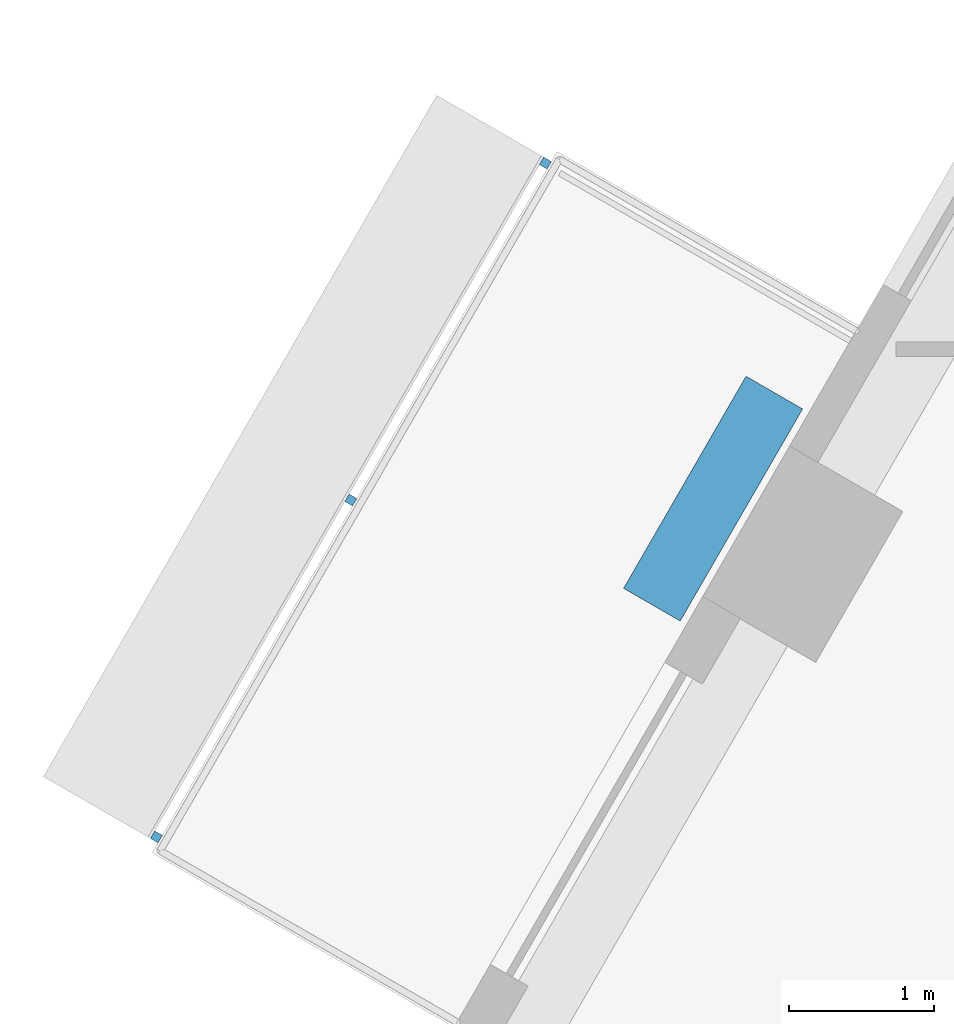
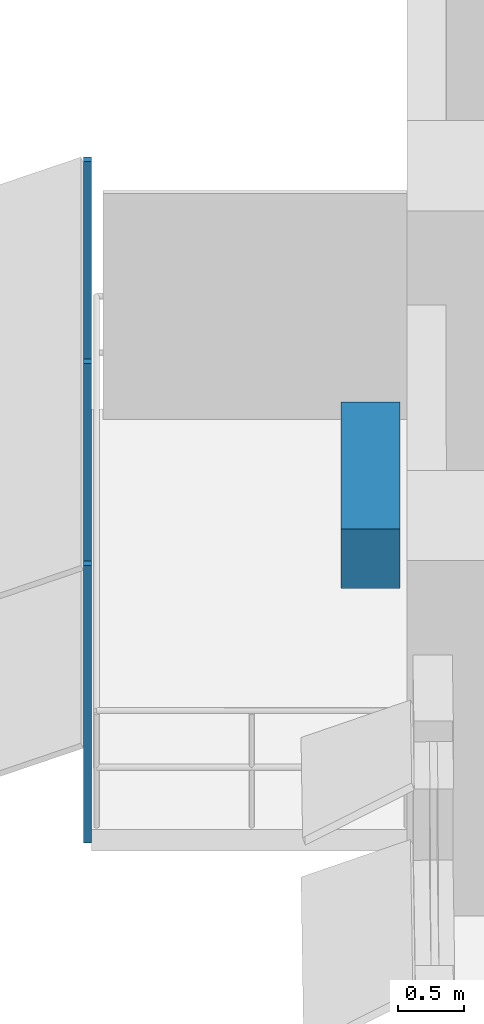
# One storey, part 13 of 17: 4 discrete accessories.
"""IFC4 building model written with IfcOpenShell, lengths in metres."""

from ifc_helpers import new_model, si_unit, direction, frame, origin, origin_2d, place, context, subcontext, project, spatial, rectangle, extrude, material, type_object, element, save


model = new_model("IFC4")

# Units and contexts
model_context = context("Model", 3, precision=1e-05, world=origin(), true_north=direction((0.0, 1.0)))
body_context = subcontext(model_context, "Body", "Model", "MODEL_VIEW")
ifc_project = project(units=[si_unit("LENGTHUNIT", "METRE"), si_unit("AREAUNIT", "SQUARE_METRE"), si_unit("VOLUMEUNIT", "CUBIC_METRE"), si_unit("PLANEANGLEUNIT", "RADIAN"), si_unit("MASSUNIT", "GRAM", prefix="KILO")], contexts=[model_context])

# Site, building, storey
site_placement = place(None, origin())
site = spatial("IfcSite", under=ifc_project, at=site_placement, CompositionType="ELEMENT")
building_placement = place(site_placement, origin())
building = spatial("IfcBuilding", under=site, at=building_placement, Name="Nakaniwa Court", CompositionType="ELEMENT")
storey_placement = place(building_placement, frame((0.0, 0.0, 203.10009765625)))
storey = spatial("IfcBuildingStorey", under=building, at=storey_placement, Name="L53", CompositionType="ELEMENT", Elevation=203.10009765625)

# Discrete accessories
ifc_material_1 = material(Name="Black powder-coated steel bracket S275", Category="steel")
discrete_accessory_type_1 = type_object("IfcDiscreteAccessoryType", Name="Black metal louvre bracket", PredefinedType="BRACKET", material=ifc_material_1)
for number, where, z_axis, x_axis, name in (
    (1, (59.089599609375, 93.9423828125, -0.22998046875), (0.0, 0.0, 1.0), (-0.499986396443, -0.866033257659, 0.0), "L53 louvre bracket 01 1"),
    (2, (57.750732421875, 91.623291015625, -0.22998046875), (0.0, 0.0, 1.0), (-0.499986396443, -0.866033257659, 0.0), "L53 louvre bracket 01 2"),
    (3, (56.412109375, 89.30419921875, -0.22998046875), (0.0, 0.0, 1.0), (-0.499986396443, -0.866033257659, 0.0), "L53 louvre bracket 01 3"),
):
    element("IfcDiscreteAccessory", number, at=place(storey_placement, frame(where, z_axis=z_axis, x_axis=x_axis)), inside=storey, type_object=discrete_accessory_type_1, Name=name, PredefinedType="BRACKET", context=body_context, shape_type="SweptSolid", body=[
        extrude(rectangle(XDim=0.06005859375, YDim=0.06005859375, at=origin_2d()), origin(), (0.0, 0.0, 1.0), 2.5751953125),
    ])
ifc_material_2 = material(Name="Precast concrete C40/50 planter with planted soil", Category="concrete")
discrete_accessory_type_2 = type_object("IfcDiscreteAccessoryType", Name="Planter box charcoal concrete", PredefinedType="USERDEFINED", material=ifc_material_2)
discrete_accessory_placement = place(storey_placement, frame((60.244384765625, 91.632568359375, -0.05029296875), z_axis=(0.0, 0.0, 1.0), x_axis=(-0.499986396443, -0.866033257659, 0.0)))
element("IfcDiscreteAccessory", 4, at=discrete_accessory_placement, inside=storey, type_object=discrete_accessory_type_2, Name="L53 balcony PLANTER 01", ObjectType="PLANTER", PredefinedType="USERDEFINED", context=body_context, shape_type="SweptSolid", body=[
    extrude(rectangle(XDim=1.685791015625, YDim=0.449951171875, at=origin_2d()), origin(), (0.0, 0.0, 1.0), 0.550048828125),
])

save(model, "model.ifc")
